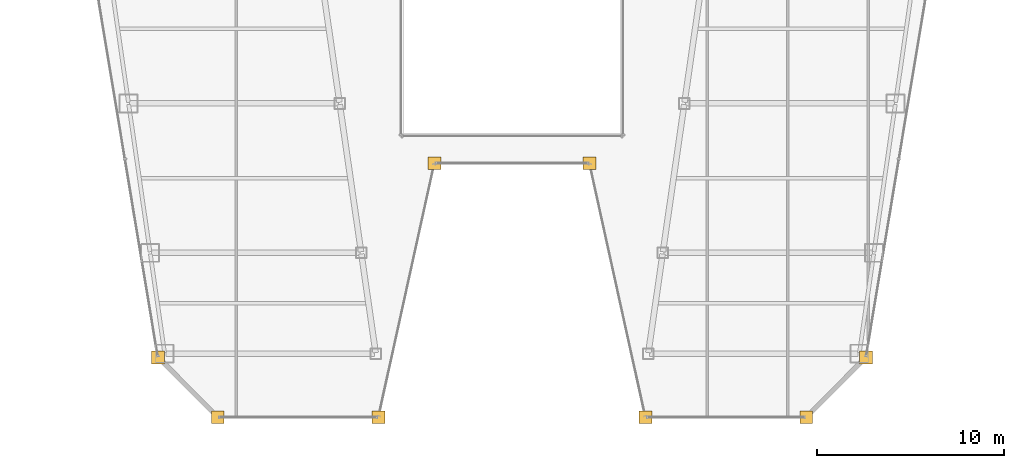
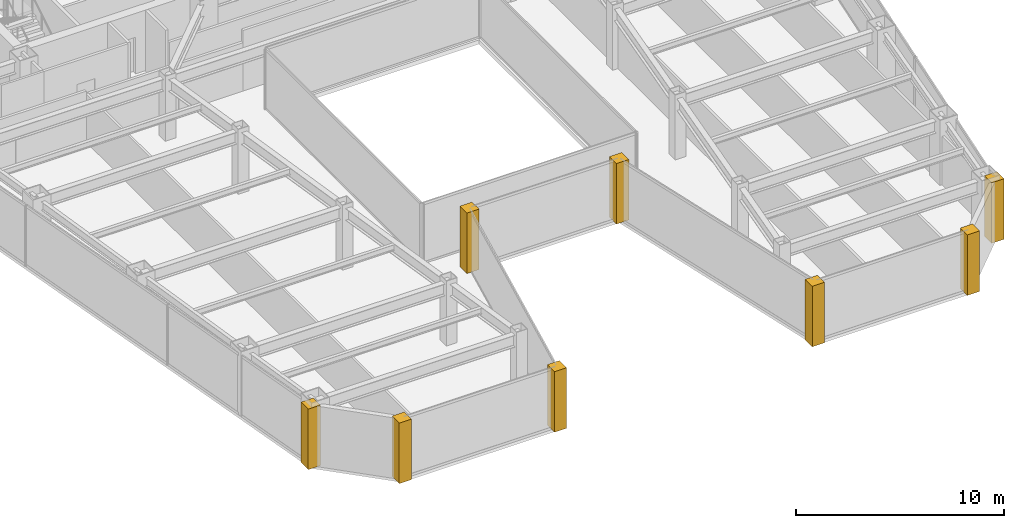
# One storey, part 34 of 36: 8 coverings.
"""IFC4 building model written with IfcOpenShell, lengths in metres."""

from ifc_helpers import new_model, si_unit, direction, frame, origin, place, context, subcontext, project, spatial, polyline, outline, extrude, material, layer, layer_set, type_object, element, save


model = new_model("IFC4")

# Units and contexts
model_context = context("Model", 3, precision=1e-05, world=origin(), true_north=direction((0.0, 1.0)))
body_context = subcontext(model_context, "Body", "Model", "MODEL_VIEW")
ifc_project = project(units=[si_unit("LENGTHUNIT", "METRE"), si_unit("AREAUNIT", "SQUARE_METRE"), si_unit("VOLUMEUNIT", "CUBIC_METRE"), si_unit("PLANEANGLEUNIT", "RADIAN"), si_unit("MASSUNIT", "GRAM", prefix="KILO")], contexts=[model_context])

# Site, building, storey
site_placement = place(None, origin())
site = spatial("IfcSite", under=ifc_project, at=site_placement, CompositionType="ELEMENT")
building_placement = place(site_placement, origin())
building = spatial("IfcBuilding", under=site, at=building_placement, Name="Saevonmaru Cultural Tower", CompositionType="ELEMENT")
storey_placement = place(building_placement, frame((0.0, 0.0, 148.60009765625)))
storey = spatial("IfcBuildingStorey", under=building, at=storey_placement, Name="L32", CompositionType="ELEMENT", Elevation=148.60009765625)

# Coverings
ifc_material = material(Name="Satin Bronze Anodised Aluminium", Category="aluminium")
ifc_layer = layer(ifc_material, 0.679931640625, Name="Satin Bronze Anodised Aluminium")
ifc_layer_set = layer_set([ifc_layer], Name="Satin Bronze Anodised Aluminium")
covering_type = type_object("IfcCoveringType", Name="CV-CORNER-CLAD", PredefinedType="CLADDING", material=ifc_layer_set)
covering_1_placement = place(storey_placement, origin())
element("IfcCovering", 1, at=covering_1_placement, inside=storey, type_object=covering_type, Name="L32 Tower Bronze Corner Cladding Pier 1", PredefinedType="CLADDING", context=body_context, shape_type="SweptSolid", body=[
    extrude(outline(polyline([(10.708984375, 10.06005859375), (11.388916015625, 10.06005859375), (11.388916015625, 10.739990234375), (10.708984375, 10.739990234375), (10.708984375, 10.06005859375)])), origin(), (0.0, 0.0, 1.0), 3.5498046875),
])
covering_2_placement = place(storey_placement, origin())
element("IfcCovering", 2, at=covering_2_placement, inside=storey, type_object=covering_type, Name="L32 Tower Bronze Corner Cladding Pier 2", PredefinedType="CLADDING", context=body_context, shape_type="SweptSolid", body=[
    extrude(outline(polyline([(13.908935546875, 6.860107421875), (14.589111328125, 6.860107421875), (14.589111328125, 7.5400390625), (13.908935546875, 7.5400390625), (13.908935546875, 6.860107421875)])), origin(), (0.0, 0.0, 1.0), 3.5498046875),
])
covering_3_placement = place(storey_placement, origin())
element("IfcCovering", 3, at=covering_3_placement, inside=storey, type_object=covering_type, Name="L32 Tower Bronze Corner Cladding Pier 3", PredefinedType="CLADDING", context=body_context, shape_type="SweptSolid", body=[
    extrude(outline(polyline([(22.509033203125, 6.860107421875), (23.18896484375, 6.860107421875), (23.18896484375, 7.5400390625), (22.509033203125, 7.5400390625), (22.509033203125, 6.860107421875)])), origin(), (0.0, 0.0, 1.0), 3.5498046875),
])
covering_4_placement = place(storey_placement, origin())
element("IfcCovering", 4, at=covering_4_placement, inside=storey, type_object=covering_type, Name="L32 Tower Bronze Corner Cladding Pier 4", PredefinedType="CLADDING", context=body_context, shape_type="SweptSolid", body=[
    extrude(outline(polyline([(25.509033203125, 20.4599609375), (26.18896484375, 20.4599609375), (26.18896484375, 21.139892578125), (25.509033203125, 21.139892578125), (25.509033203125, 20.4599609375)])), origin(), (0.0, 0.0, 1.0), 3.5498046875),
])
covering_5_placement = place(storey_placement, origin())
element("IfcCovering", 5, at=covering_5_placement, inside=storey, type_object=covering_type, Name="L32 Tower Bronze Corner Cladding Pier 5", PredefinedType="CLADDING", context=body_context, shape_type="SweptSolid", body=[
    extrude(outline(polyline([(33.81103515625, 20.4599609375), (34.490966796875, 20.4599609375), (34.490966796875, 21.139892578125), (33.81103515625, 21.139892578125), (33.81103515625, 20.4599609375)])), origin(), (0.0, 0.0, 1.0), 3.5498046875),
])
covering_6_placement = place(storey_placement, origin())
element("IfcCovering", 6, at=covering_6_placement, inside=storey, type_object=covering_type, Name="L32 Tower Bronze Corner Cladding Pier 6", PredefinedType="CLADDING", context=body_context, shape_type="SweptSolid", body=[
    extrude(outline(polyline([(36.81103515625, 6.860107421875), (37.490966796875, 6.860107421875), (37.490966796875, 7.5400390625), (36.81103515625, 7.5400390625), (36.81103515625, 6.860107421875)])), origin(), (0.0, 0.0, 1.0), 3.5498046875),
])
covering_7_placement = place(storey_placement, origin())
element("IfcCovering", 7, at=covering_7_placement, inside=storey, type_object=covering_type, Name="L32 Tower Bronze Corner Cladding Pier 7", PredefinedType="CLADDING", context=body_context, shape_type="SweptSolid", body=[
    extrude(outline(polyline([(45.410888671875, 6.860107421875), (46.091064453125, 6.860107421875), (46.091064453125, 7.5400390625), (45.410888671875, 7.5400390625), (45.410888671875, 6.860107421875)])), origin(), (0.0, 0.0, 1.0), 3.5498046875),
])
covering_8_placement = place(storey_placement, origin())
element("IfcCovering", 8, at=covering_8_placement, inside=storey, type_object=covering_type, Name="L32 Tower Bronze Corner Cladding Pier 8", PredefinedType="CLADDING", context=body_context, shape_type="SweptSolid", body=[
    extrude(outline(polyline([(48.611083984375, 10.06005859375), (49.291015625, 10.06005859375), (49.291015625, 10.739990234375), (48.611083984375, 10.739990234375), (48.611083984375, 10.06005859375)])), origin(), (0.0, 0.0, 1.0), 3.5498046875),
])

save(model, "model.ifc")
